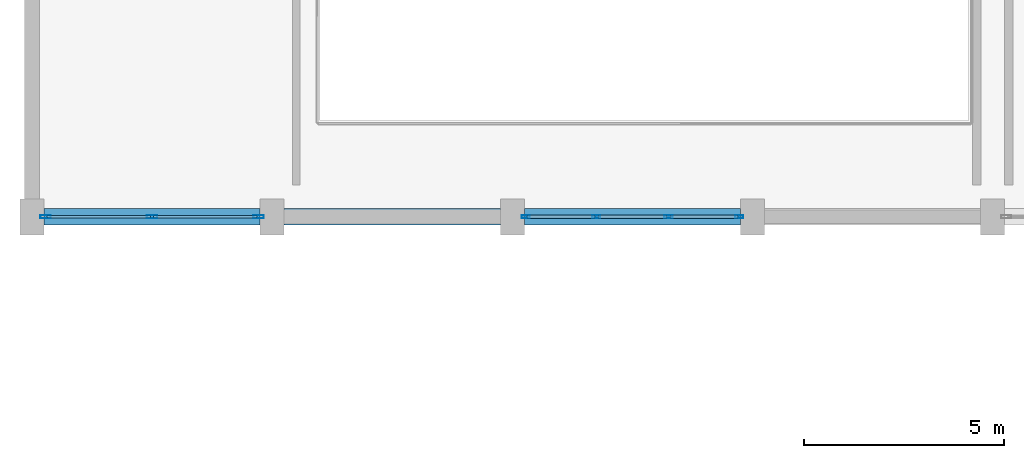
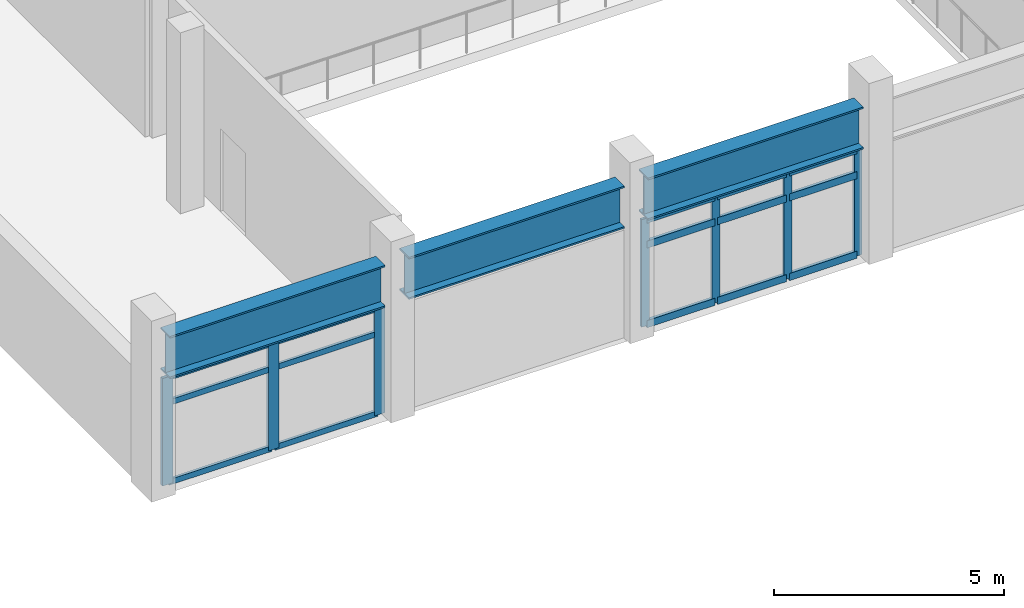
# One storey, part 6 of 62: 22 members, 3 beams, 2 elements without a shape of their own.
"""IFC4 building model written with IfcOpenShell, lengths in metres."""

import ifcopenshell
import ifcopenshell.guid

model = None  # the IFC model being written
_history = None  # IfcOwnerHistory: only IFC2X3 demands one
_inside = {}  # id of a spatial element -> (the spatial element, [elements in it])
_under = {}  # id of a project, library or spatial element -> (it, [spatial elements below it])
_declared = {}  # id of a project -> (the project, [libraries it declares])
_typed = {}  # id of a type object -> (the type object, [elements of that type])
_made_of = {}  # id of a material, layer set ... -> (it, [elements and type objects made of it])


def new_model(schema):
    """Start an empty IFC model of exactly this schema.

    Asked for "IFC4X3", IfcOpenShell would pick the latest addendum, in which some entities
    have other attributes; the version numbers below select the first issue.
    IFC2X3 requires an IfcOwnerHistory on every rooted entity: one is made here for all.
    """
    global model, _history
    if schema == "IFC4X3":
        model = ifcopenshell.file(schema_version=(4, 3, 0, 0))
    else:
        model = ifcopenshell.file(schema=schema)
    _inside.clear()
    _under.clear()
    _declared.clear()
    _typed.clear()
    _made_of.clear()
    _history = None
    if model.schema == "IFC2X3":
        org = make("IfcOrganization", Name="unknown")
        user = make(
            "IfcPersonAndOrganization",
            ThePerson=make("IfcPerson", FamilyName="unknown"),
            TheOrganization=org,
        )
        app = make(
            "IfcApplication",
            ApplicationDeveloper=org,
            Version="unknown",
            ApplicationFullName="unknown",
            ApplicationIdentifier="unknown",
        )
        _history = make(
            "IfcOwnerHistory",
            OwningUser=user,
            OwningApplication=app,
            ChangeAction="ADDED",
            CreationDate=0,
        )
    return model


def make(cls, **values):
    """One entity of the class cls with the attributes given. An attribute that is None is left unset."""
    return model.create_entity(
        cls, **{name: value for name, value in values.items() if value is not None}
    )


def rooted(cls, **values):
    """An entity with a GlobalId (a new one), such as an element, a storey or a relation."""
    return make(cls, GlobalId=ifcopenshell.guid.new(), OwnerHistory=_history, **values)


def si_unit(unit_type, name, prefix=None):
    """IfcSIUnit, for example si_unit("LENGTHUNIT", "METRE", prefix="MILLI")."""
    return make("IfcSIUnit", UnitType=unit_type, Prefix=prefix, Name=name)


def assignment(units):
    """IfcUnitAssignment: the units of a project."""
    return None if units is None else make("IfcUnitAssignment", Units=units)


def point(xyz):
    """IfcCartesianPoint."""
    return None if xyz is None else make("IfcCartesianPoint", Coordinates=xyz)


def direction(xyz):
    """IfcDirection."""
    return None if xyz is None else make("IfcDirection", DirectionRatios=xyz)


def frame(location, z_axis=None, x_axis=None):
    """IfcAxis2Placement3D, a coordinate frame: its origin and axes. An axis left out is left unset."""
    return make(
        "IfcAxis2Placement3D",
        Location=point(location),
        Axis=direction(z_axis),
        RefDirection=direction(x_axis),
    )


def frame_2d(location, x_axis=None):
    """IfcAxis2Placement2D, a coordinate frame in the plane: its origin and x axis."""
    return make(
        "IfcAxis2Placement2D", Location=point(location), RefDirection=direction(x_axis)
    )


def origin():
    """The frame at (0, 0, 0) with its axes left unset."""
    return frame((0.0, 0.0, 0.0))


def origin_2d():
    """The frame at (0, 0) in the plane with its x axis left unset."""
    return frame_2d((0.0, 0.0))


def place(relative_to, where):
    """IfcLocalPlacement: puts the frame where relative to a parent placement (None: the world)."""
    return make(
        "IfcLocalPlacement", PlacementRelTo=relative_to, RelativePlacement=where
    )


def context(
    kind, dimensions, precision=None, world=None, true_north=None, identifier=None
):
    """IfcGeometricRepresentationContext, for example the 3D "Model" context."""
    return make(
        "IfcGeometricRepresentationContext",
        ContextIdentifier=identifier,
        ContextType=kind,
        CoordinateSpaceDimension=dimensions,
        Precision=precision,
        WorldCoordinateSystem=world,
        TrueNorth=true_north,
    )


def subcontext(parent, identifier, kind, view, scale=None):
    """IfcGeometricRepresentationSubContext, for example "Body" below "Model"."""
    return make(
        "IfcGeometricRepresentationSubContext",
        ContextIdentifier=identifier,
        ContextType=kind,
        ParentContext=parent,
        TargetScale=scale,
        TargetView=view,
    )


def project(units=None, contexts=None):
    """IfcProject with its units and contexts."""
    return rooted(
        "IfcProject",
        Name="project",
        RepresentationContexts=contexts,
        UnitsInContext=assignment(units),
    )


def spatial(cls, under=None, at=None, **own):
    """A site, building, storey or space (cls), placed at a placement, below another one or the project."""
    s = rooted(cls, ObjectPlacement=at, **own)
    if under is not None:
        _under.setdefault(under.id(), (under, []))[1].append(s)
    return s


def profile(cls, at=None, kind="AREA", **sizes):
    """A parametric profile (cls). Its sizes go by their IFC names, for example OverallWidth=200.0."""
    return make(cls, ProfileType=kind, Position=at, **sizes)


def hollow_rectangle(**sizes):
    """IfcRectangleHollowProfileDef."""
    return profile("IfcRectangleHollowProfileDef", **sizes)


def i_section(**sizes):
    """IfcIShapeProfileDef."""
    return profile("IfcIShapeProfileDef", **sizes)


def extrude(swept, where, along, depth):
    """IfcExtrudedAreaSolid: the profile swept, set in the frame where, extruded along a direction by depth."""
    return make(
        "IfcExtrudedAreaSolid",
        SweptArea=swept,
        Position=where,
        ExtrudedDirection=direction(along),
        Depth=depth,
    )


def shape(context_of_items, identifier, shape_type, items):
    """IfcShapeRepresentation: the items that make up one representation, for example the "Body"."""
    return make(
        "IfcShapeRepresentation",
        ContextOfItems=context_of_items,
        RepresentationIdentifier=identifier,
        RepresentationType=shape_type,
        Items=items,
    )


def material(Name=None, Category=None):
    """IfcMaterial."""
    return make("IfcMaterial", Name=Name, Category=Category)


def layer(
    of_material, thickness, ventilated=None, Name=None, Category=None, Priority=None
):
    """IfcMaterialLayer: one layer of a wall or slab, of a material (None: an air gap)."""
    return make(
        "IfcMaterialLayer",
        Material=of_material,
        LayerThickness=thickness,
        IsVentilated=ventilated,
        Name=Name,
        Category=Category,
        Priority=Priority,
    )


def layer_set(layers, Name=None):
    """IfcMaterialLayerSet."""
    return make("IfcMaterialLayerSet", MaterialLayers=layers, LayerSetName=Name)


def material_profile(
    of_material, cross_section, Name=None, Category=None, Priority=None
):
    """IfcMaterialProfile: a cross section and its material."""
    return make(
        "IfcMaterialProfile",
        Name=Name,
        Material=of_material,
        Profile=cross_section,
        Priority=Priority,
        Category=Category,
    )


def profile_set(profiles, Name=None, composite=None):
    """IfcMaterialProfileSet."""
    return make(
        "IfcMaterialProfileSet",
        Name=Name,
        MaterialProfiles=profiles,
        CompositeProfile=composite,
    )


def made_of(thing, what):
    """Note that an element or type object is made of a material, layer set ...; save() writes the relation."""
    if what is not None:
        _made_of.setdefault(what.id(), (what, []))[1].append(thing)
    return thing


def type_object(cls, material=None, **own):
    """A type object (cls), such as IfcWallType, which elements share."""
    return made_of(rooted(cls, **own), material)


def element(
    cls,
    number,
    at=None,
    inside=None,
    cuts=None,
    type_object=None,
    material=None,
    context=None,
    identifier="Body",
    shape_type=None,
    held_by="IfcProductDefinitionShape",
    body=None,
    shapes=None,
    **own,
):
    """One element of the class cls, such as IfcWall. Its Tag is "e" and its number.

    at: its placement. inside: the storey or other place that contains it. cuts: it is an
    opening in that element (IfcRelVoidsElement). A single representation is given by context,
    identifier, shape_type and body (its items); several are given by shapes. held_by: the class
    of the entity that holds the representations. save() writes the other relations.
    """
    e = rooted(cls, Tag="e%d" % number, ObjectPlacement=at, **own)
    if body is not None:
        shapes = [shape(context, identifier, shape_type, body)]
    if shapes is not None:
        e.Representation = make(held_by, Representations=shapes)
    if inside is not None:
        _inside.setdefault(inside.id(), (inside, []))[1].append(e)
    if cuts is not None:
        rooted(
            "IfcRelVoidsElement", RelatingBuildingElement=cuts, RelatedOpeningElement=e
        )
    if type_object is not None:
        _typed.setdefault(type_object.id(), (type_object, []))[1].append(e)
    return made_of(e, material)


def aggregate(whole, parts):
    """IfcRelAggregates: a whole, such as a stair, and the parts it consists of."""
    return rooted("IfcRelAggregates", RelatingObject=whole, RelatedObjects=parts)


def save(model, path):
    """Write the relations noted so far, then the file.

    IfcRelAggregates (storeys below a building ...), IfcRelContainedInSpatialStructure (elements
    in a storey), IfcRelDefinesByType, IfcRelAssociatesMaterial and IfcRelDeclares: one each for
    every whole, place, type object, material and project.
    """
    for whole, parts in _under.values():
        aggregate(whole, parts)
    for where, things in _inside.values():
        rooted(
            "IfcRelContainedInSpatialStructure",
            RelatedElements=things,
            RelatingStructure=where,
        )
    for kind, things in _typed.values():
        rooted("IfcRelDefinesByType", RelatedObjects=things, RelatingType=kind)
    for what, things in _made_of.values():
        rooted("IfcRelAssociatesMaterial", RelatedObjects=things, RelatingMaterial=what)
    for by, libraries in _declared.values():
        rooted("IfcRelDeclares", RelatingContext=by, RelatedDefinitions=libraries)
    model.write(path)


model = new_model("IFC4")

# Units and contexts
model_context = context("Model", 3, precision=1e-05, world=origin(), true_north=direction((0.0, 1.0)))
body_context = subcontext(model_context, "Body", "Model", "MODEL_VIEW")
ifc_project = project(units=[si_unit("LENGTHUNIT", "METRE"), si_unit("AREAUNIT", "SQUARE_METRE"), si_unit("VOLUMEUNIT", "CUBIC_METRE"), si_unit("PLANEANGLEUNIT", "RADIAN"), si_unit("MASSUNIT", "GRAM", prefix="KILO")], contexts=[model_context])

# Site, building, storey
site_placement = place(None, origin())
site = spatial("IfcSite", under=ifc_project, at=site_placement, CompositionType="ELEMENT")
building_placement = place(site_placement, origin())
building = spatial("IfcBuilding", under=site, at=building_placement, Name="Vaelkrest Opera House", CompositionType="ELEMENT")
storey_placement = place(building_placement, frame((0.0, 0.0, 19.800048828125)))
storey = spatial("IfcBuildingStorey", under=building, at=storey_placement, Name="L04", CompositionType="ELEMENT", Elevation=19.800048828125)

# Curtain wall, members
ifc_material_1 = material(Name="Dark bronze anodized aluminium", Category="aluminium")
ifc_layer_1 = layer(ifc_material_1, 0.22998046875)
ifc_layer_set_1 = layer_set([ifc_layer_1], Name="Dark bronze anodized aluminium")
curtain_wall_type_1 = type_object("IfcCurtainWallType", Name="CW06", PredefinedType="NOTDEFINED", material=ifc_layer_set_1)
curtain_wall_1_placement = place(storey_placement, origin())
curtain_wall_1 = element("IfcCurtainWall", 1, at=curtain_wall_1_placement, inside=storey, type_object=curtain_wall_type_1, Name="Curtain wall CW-L04-139", PredefinedType="NOTDEFINED")
ifc_material_profile_1 = material_profile(ifc_material_1, hollow_rectangle(XDim=0.070068359375, YDim=0.199951171875, WallThickness=0.004150390625, at=origin_2d()), Name="CWM70X200")
ifc_profile_set_1 = profile_set([ifc_material_profile_1], Name="Dark bronze anodized aluminium")
member_type_1 = type_object("IfcMemberType", Name="CWM02", PredefinedType="MULLION", material=ifc_profile_set_1)
member_1_placement = place(storey_placement, frame((-57.93310546875, -16.800048828125, 0.0), z_axis=(0.0, 0.0, 1.0), x_axis=(0.0, -1.0, 0.0)))
member_1 = element("IfcMember", 2, at=member_1_placement, type_object=member_type_1, Name="CW06 mullion 1", PredefinedType="MULLION", context=body_context, shape_type="SweptSolid", body=[
    extrude(hollow_rectangle(XDim=0.070068359375, YDim=0.199951171875, WallThickness=0.004150390625, at=origin_2d()), origin(), (0.0, 0.0, 1.0), 2.85205078125),
])
member_2_placement = place(storey_placement, frame((-59.69921875, -16.800048828125, 0.0), z_axis=(0.0, 0.0, 1.0), x_axis=(0.0, -1.0, 0.0)))
member_2 = element("IfcMember", 3, at=member_2_placement, type_object=member_type_1, Name="CW06 mullion 2", PredefinedType="MULLION", context=body_context, shape_type="SweptSolid", body=[
    extrude(hollow_rectangle(XDim=0.070068359375, YDim=0.199951171875, WallThickness=0.004150390625, at=origin_2d()), origin(), (0.0, 0.0, 1.0), 2.85205078125),
])
member_3_placement = place(storey_placement, frame((-61.500732421875, -16.800048828125, 0.0), z_axis=(0.0, 0.0, 1.0), x_axis=(0.0, -1.0, 0.0)))
member_3 = element("IfcMember", 4, at=member_3_placement, type_object=member_type_1, Name="CW06 mullion 3", PredefinedType="MULLION", context=body_context, shape_type="SweptSolid", body=[
    extrude(hollow_rectangle(XDim=0.070068359375, YDim=0.199951171875, WallThickness=0.004150390625, at=origin_2d()), origin(), (0.0, 0.0, 1.0), 2.85205078125),
])
member_4_placement = place(storey_placement, frame((-63.26708984375, -16.800048828125, 0.0), z_axis=(0.0, 0.0, 1.0), x_axis=(0.0, -1.0, 0.0)))
member_4 = element("IfcMember", 5, at=member_4_placement, type_object=member_type_1, Name="CW06 mullion 4", PredefinedType="MULLION", context=body_context, shape_type="SweptSolid", body=[
    extrude(hollow_rectangle(XDim=0.070068359375, YDim=0.199951171875, WallThickness=0.004150390625, at=origin_2d()), origin(), (0.0, 0.0, 1.0), 2.85205078125),
])

ifc_layer_2 = layer(ifc_material_1, 0.25)
ifc_layer_set_2 = layer_set([ifc_layer_2], Name="Dark bronze anodized aluminium")
curtain_wall_type_2 = type_object("IfcCurtainWallType", Name="CW08", PredefinedType="NOTDEFINED", material=ifc_layer_set_2)
curtain_wall_2_placement = place(storey_placement, origin())
curtain_wall_2 = element("IfcCurtainWall", 6, at=curtain_wall_2_placement, inside=storey, type_object=curtain_wall_type_2, Name="Curtain wall CW-L04-140", PredefinedType="NOTDEFINED")
ifc_material_profile_2 = material_profile(ifc_material_1, hollow_rectangle(XDim=0.080078125, YDim=0.260009765625, WallThickness=0.0048828125, at=origin_2d()), Name="CWM80X260")
ifc_profile_set_2 = profile_set([ifc_material_profile_2], Name="Dark bronze anodized aluminium")
member_type_2 = type_object("IfcMemberType", Name="CWM04", PredefinedType="MULLION", material=ifc_profile_set_2)
member_5_placement = place(storey_placement, frame((-69.93798828125, -16.800048828125, 0.0), z_axis=(0.0, 0.0, 1.0), x_axis=(0.0, -1.0, 0.0)))
member_5 = element("IfcMember", 7, at=member_5_placement, type_object=member_type_2, Name="CW08 mullion 1", PredefinedType="MULLION", context=body_context, shape_type="SweptSolid", body=[
    extrude(hollow_rectangle(XDim=0.080078125, YDim=0.260009765625, WallThickness=0.0048828125, at=origin_2d()), origin(), (0.0, 0.0, 1.0), 2.85205078125),
])
member_6_placement = place(storey_placement, frame((-72.60009765625, -16.800048828125, 0.0), z_axis=(0.0, 0.0, 1.0), x_axis=(0.0, -1.0, 0.0)))
member_6 = element("IfcMember", 8, at=member_6_placement, type_object=member_type_2, Name="CW08 mullion 2", PredefinedType="MULLION", context=body_context, shape_type="SweptSolid", body=[
    extrude(hollow_rectangle(XDim=0.080078125, YDim=0.260009765625, WallThickness=0.0048828125, at=origin_2d()), origin(), (0.0, 0.0, 1.0), 2.85205078125),
])
member_7_placement = place(storey_placement, frame((-75.261962890625, -16.800048828125, 0.0), z_axis=(0.0, 0.0, 1.0), x_axis=(0.0, -1.0, 0.0)))
member_7 = element("IfcMember", 9, at=member_7_placement, type_object=member_type_2, Name="CW08 mullion 3", PredefinedType="MULLION", context=body_context, shape_type="SweptSolid", body=[
    extrude(hollow_rectangle(XDim=0.080078125, YDim=0.260009765625, WallThickness=0.0048828125, at=origin_2d()), origin(), (0.0, 0.0, 1.0), 2.85205078125),
])
ifc_material_profile_3 = material_profile(ifc_material_1, hollow_rectangle(XDim=0.070068359375, YDim=0.14990234375, WallThickness=0.004150390625, at=origin_2d()), Name="CWT70X150")
ifc_profile_set_3 = profile_set([ifc_material_profile_3], Name="Dark bronze anodized aluminium")
member_type_3 = type_object("IfcMemberType", Name="CWT02", PredefinedType="USERDEFINED", material=ifc_profile_set_3)
member_8_placement = place(storey_placement, frame((-69.97802734375, -16.800048828125, 0.034912109375), z_axis=(-1.0, 0.0, 0.0), x_axis=(0.0, -1.0, 0.0)))
member_8 = element("IfcMember", 10, at=member_8_placement, type_object=member_type_3, Name="CW08 transom 1.1", ObjectType="TRANSOM", PredefinedType="USERDEFINED", context=body_context, shape_type="SweptSolid", body=[
    extrude(hollow_rectangle(XDim=0.070068359375, YDim=0.14990234375, WallThickness=0.004150390625, at=origin_2d()), origin(), (0.0, 0.0, 1.0), 2.58203125),
])
member_9_placement = place(storey_placement, frame((-69.97802734375, -16.800048828125, 2.14990234375), z_axis=(-1.0, 0.0, 0.0), x_axis=(0.0, -1.0, 0.0)))
member_9 = element("IfcMember", 11, at=member_9_placement, type_object=member_type_3, Name="CW08 transom 1.2", ObjectType="TRANSOM", PredefinedType="USERDEFINED", context=body_context, shape_type="SweptSolid", body=[
    extrude(hollow_rectangle(XDim=0.070068359375, YDim=0.14990234375, WallThickness=0.004150390625, at=origin_2d()), origin(), (0.0, 0.0, 1.0), 2.58203125),
])
member_10_placement = place(storey_placement, frame((-69.97802734375, -16.800048828125, 2.81689453125), z_axis=(-1.0, 0.0, 0.0), x_axis=(0.0, -1.0, 0.0)))
member_10 = element("IfcMember", 12, at=member_10_placement, type_object=member_type_3, Name="CW08 transom 1.3", ObjectType="TRANSOM", PredefinedType="USERDEFINED", context=body_context, shape_type="SweptSolid", body=[
    extrude(hollow_rectangle(XDim=0.070068359375, YDim=0.14990234375, WallThickness=0.004150390625, at=origin_2d()), origin(), (0.0, 0.0, 1.0), 2.58203125),
])
member_11_placement = place(storey_placement, frame((-72.639892578125, -16.800048828125, 0.034912109375), z_axis=(-1.0, 0.0, 0.0), x_axis=(0.0, -1.0, 0.0)))
member_11 = element("IfcMember", 13, at=member_11_placement, type_object=member_type_3, Name="CW08 transom 2.1", ObjectType="TRANSOM", PredefinedType="USERDEFINED", context=body_context, shape_type="SweptSolid", body=[
    extrude(hollow_rectangle(XDim=0.070068359375, YDim=0.14990234375, WallThickness=0.004150390625, at=origin_2d()), origin(), (0.0, 0.0, 1.0), 2.58203125),
])
member_12_placement = place(storey_placement, frame((-72.639892578125, -16.800048828125, 2.14990234375), z_axis=(-1.0, 0.0, 0.0), x_axis=(0.0, -1.0, 0.0)))
member_12 = element("IfcMember", 14, at=member_12_placement, type_object=member_type_3, Name="CW08 transom 2.2", ObjectType="TRANSOM", PredefinedType="USERDEFINED", context=body_context, shape_type="SweptSolid", body=[
    extrude(hollow_rectangle(XDim=0.070068359375, YDim=0.14990234375, WallThickness=0.004150390625, at=origin_2d()), origin(), (0.0, 0.0, 1.0), 2.58203125),
])
member_13_placement = place(storey_placement, frame((-72.639892578125, -16.800048828125, 2.81689453125), z_axis=(-1.0, 0.0, 0.0), x_axis=(0.0, -1.0, 0.0)))
member_13 = element("IfcMember", 15, at=member_13_placement, type_object=member_type_3, Name="CW08 transom 2.3", ObjectType="TRANSOM", PredefinedType="USERDEFINED", context=body_context, shape_type="SweptSolid", body=[
    extrude(hollow_rectangle(XDim=0.070068359375, YDim=0.14990234375, WallThickness=0.004150390625, at=origin_2d()), origin(), (0.0, 0.0, 1.0), 2.58203125),
])
aggregate(curtain_wall_2, [member_5, member_6, member_7, member_8, member_9, member_10, member_11, member_12, member_13])

# Member
ifc_material_profile_4 = material_profile(ifc_material_1, hollow_rectangle(XDim=0.080078125, YDim=0.18994140625, WallThickness=0.0048828125, at=origin_2d()), Name="CWT80X190")
ifc_profile_set_4 = profile_set([ifc_material_profile_4], Name="Dark bronze anodized aluminium")
member_type_4 = type_object("IfcMemberType", Name="CWT04", PredefinedType="USERDEFINED", material=ifc_profile_set_4)
member_14_placement = place(storey_placement, frame((-57.968017578125, -16.800048828125, 0.0400390625), z_axis=(-1.0, 0.0, 0.0), x_axis=(0.0, -1.0, 0.0)))
member_14 = element("IfcMember", 16, at=member_14_placement, type_object=member_type_4, Name="CW06 transom 1.1", ObjectType="TRANSOM", PredefinedType="USERDEFINED", context=body_context, shape_type="SweptSolid", body=[
    extrude(hollow_rectangle(XDim=0.080078125, YDim=0.18994140625, WallThickness=0.0048828125, at=origin_2d()), origin(), (0.0, 0.0, 1.0), 1.6962890625),
])

member_15_placement = place(storey_placement, frame((-57.968017578125, -16.800048828125, 2.14990234375), z_axis=(-1.0, 0.0, 0.0), x_axis=(0.0, -1.0, 0.0)))
member_15 = element("IfcMember", 17, at=member_15_placement, type_object=member_type_4, Name="CW06 transom 1.2", ObjectType="TRANSOM", PredefinedType="USERDEFINED", context=body_context, shape_type="SweptSolid", body=[
    extrude(hollow_rectangle(XDim=0.080078125, YDim=0.18994140625, WallThickness=0.0048828125, at=origin_2d()), origin(), (0.0, 0.0, 1.0), 1.6962890625),
])

member_16_placement = place(storey_placement, frame((-57.968017578125, -16.800048828125, 2.81201171875), z_axis=(-1.0, 0.0, 0.0), x_axis=(0.0, -1.0, 0.0)))
member_16 = element("IfcMember", 18, at=member_16_placement, type_object=member_type_4, Name="CW06 transom 1.3", ObjectType="TRANSOM", PredefinedType="USERDEFINED", context=body_context, shape_type="SweptSolid", body=[
    extrude(hollow_rectangle(XDim=0.080078125, YDim=0.18994140625, WallThickness=0.0048828125, at=origin_2d()), origin(), (0.0, 0.0, 1.0), 1.6962890625),
])

member_17_placement = place(storey_placement, frame((-59.734375, -16.800048828125, 0.0400390625), z_axis=(-1.0, 0.0, 0.0), x_axis=(0.0, -1.0, 0.0)))
member_17 = element("IfcMember", 19, at=member_17_placement, type_object=member_type_4, Name="CW06 transom 2.1", ObjectType="TRANSOM", PredefinedType="USERDEFINED", context=body_context, shape_type="SweptSolid", body=[
    extrude(hollow_rectangle(XDim=0.080078125, YDim=0.18994140625, WallThickness=0.0048828125, at=origin_2d()), origin(), (0.0, 0.0, 1.0), 1.731201171875),
])

member_18_placement = place(storey_placement, frame((-59.734375, -16.800048828125, 2.14990234375), z_axis=(-1.0, 0.0, 0.0), x_axis=(0.0, -1.0, 0.0)))
member_18 = element("IfcMember", 20, at=member_18_placement, type_object=member_type_4, Name="CW06 transom 2.2", ObjectType="TRANSOM", PredefinedType="USERDEFINED", context=body_context, shape_type="SweptSolid", body=[
    extrude(hollow_rectangle(XDim=0.080078125, YDim=0.18994140625, WallThickness=0.0048828125, at=origin_2d()), origin(), (0.0, 0.0, 1.0), 1.731201171875),
])

member_19_placement = place(storey_placement, frame((-59.734375, -16.800048828125, 2.81201171875), z_axis=(-1.0, 0.0, 0.0), x_axis=(0.0, -1.0, 0.0)))
member_19 = element("IfcMember", 21, at=member_19_placement, type_object=member_type_4, Name="CW06 transom 2.3", ObjectType="TRANSOM", PredefinedType="USERDEFINED", context=body_context, shape_type="SweptSolid", body=[
    extrude(hollow_rectangle(XDim=0.080078125, YDim=0.18994140625, WallThickness=0.0048828125, at=origin_2d()), origin(), (0.0, 0.0, 1.0), 1.731201171875),
])

member_20_placement = place(storey_placement, frame((-61.53564453125, -16.800048828125, 0.0400390625), z_axis=(-1.0, 0.0, 0.0), x_axis=(0.0, -1.0, 0.0)))
member_20 = element("IfcMember", 22, at=member_20_placement, type_object=member_type_4, Name="CW06 transom 3.1", ObjectType="TRANSOM", PredefinedType="USERDEFINED", context=body_context, shape_type="SweptSolid", body=[
    extrude(hollow_rectangle(XDim=0.080078125, YDim=0.18994140625, WallThickness=0.0048828125, at=origin_2d()), origin(), (0.0, 0.0, 1.0), 1.6962890625),
])

member_21_placement = place(storey_placement, frame((-61.53564453125, -16.800048828125, 2.14990234375), z_axis=(-1.0, 0.0, 0.0), x_axis=(0.0, -1.0, 0.0)))
member_21 = element("IfcMember", 23, at=member_21_placement, type_object=member_type_4, Name="CW06 transom 3.2", ObjectType="TRANSOM", PredefinedType="USERDEFINED", context=body_context, shape_type="SweptSolid", body=[
    extrude(hollow_rectangle(XDim=0.080078125, YDim=0.18994140625, WallThickness=0.0048828125, at=origin_2d()), origin(), (0.0, 0.0, 1.0), 1.6962890625),
])

member_22_placement = place(storey_placement, frame((-61.53564453125, -16.800048828125, 2.81201171875), z_axis=(-1.0, 0.0, 0.0), x_axis=(0.0, -1.0, 0.0)))
member_22 = element("IfcMember", 24, at=member_22_placement, type_object=member_type_4, Name="CW06 transom 3.3", ObjectType="TRANSOM", PredefinedType="USERDEFINED", context=body_context, shape_type="SweptSolid", body=[
    extrude(hollow_rectangle(XDim=0.080078125, YDim=0.18994140625, WallThickness=0.0048828125, at=origin_2d()), origin(), (0.0, 0.0, 1.0), 1.6962890625),
])

aggregate(curtain_wall_1, [member_1, member_2, member_3, member_4, member_14, member_15, member_16, member_17, member_18, member_19, member_20, member_21, member_22])

# Beams
ifc_material_2 = material(Name="Steel A992 Gr50", Category="steel")
ifc_material_profile_5 = material_profile(ifc_material_2, i_section(OverallWidth=0.405029296875, OverallDepth=1.117919921875, WebThickness=0.02587890625, FlangeThickness=0.044921875, at=origin_2d()), Name="W44X335")
ifc_profile_set_5 = profile_set([ifc_material_profile_5], Name="Steel A992 Gr50")
beam_type = type_object("IfcBeamType", Name="SP05", PredefinedType="SPANDREL", material=ifc_profile_set_5)
for number, where, z_axis, x_axis, name in (
    (25, (-75.300048828125, -16.800048828125, 3.475830078125), (1.0, 0.0, 0.0), (0.0, 1.0, 0.0), "Beam BM-V3-L04-1803"),
    (26, (-69.300048828125, -16.800048828125, 3.475830078125), (1.0, 0.0, 0.0), (0.0, 1.0, 0.0), "Beam BM-V3-L04-1804"),
    (27, (-63.300048828125, -16.800048828125, 3.475830078125), (1.0, 0.0, 0.0), (0.0, 1.0, 0.0), "Beam BM-V3-L04-1805"),
):
    element("IfcBeam", number, at=place(storey_placement, frame(where, z_axis=z_axis, x_axis=x_axis)), inside=storey, type_object=beam_type, Name=name, PredefinedType="SPANDREL", context=body_context, shape_type="SweptSolid", body=[
        extrude(i_section(OverallWidth=0.405029296875, OverallDepth=1.117919921875, WebThickness=0.02587890625, FlangeThickness=0.044921875, at=origin_2d()), origin(), (0.0, 0.0, 1.0), 5.400146484375),
    ])

save(model, "model.ifc")
